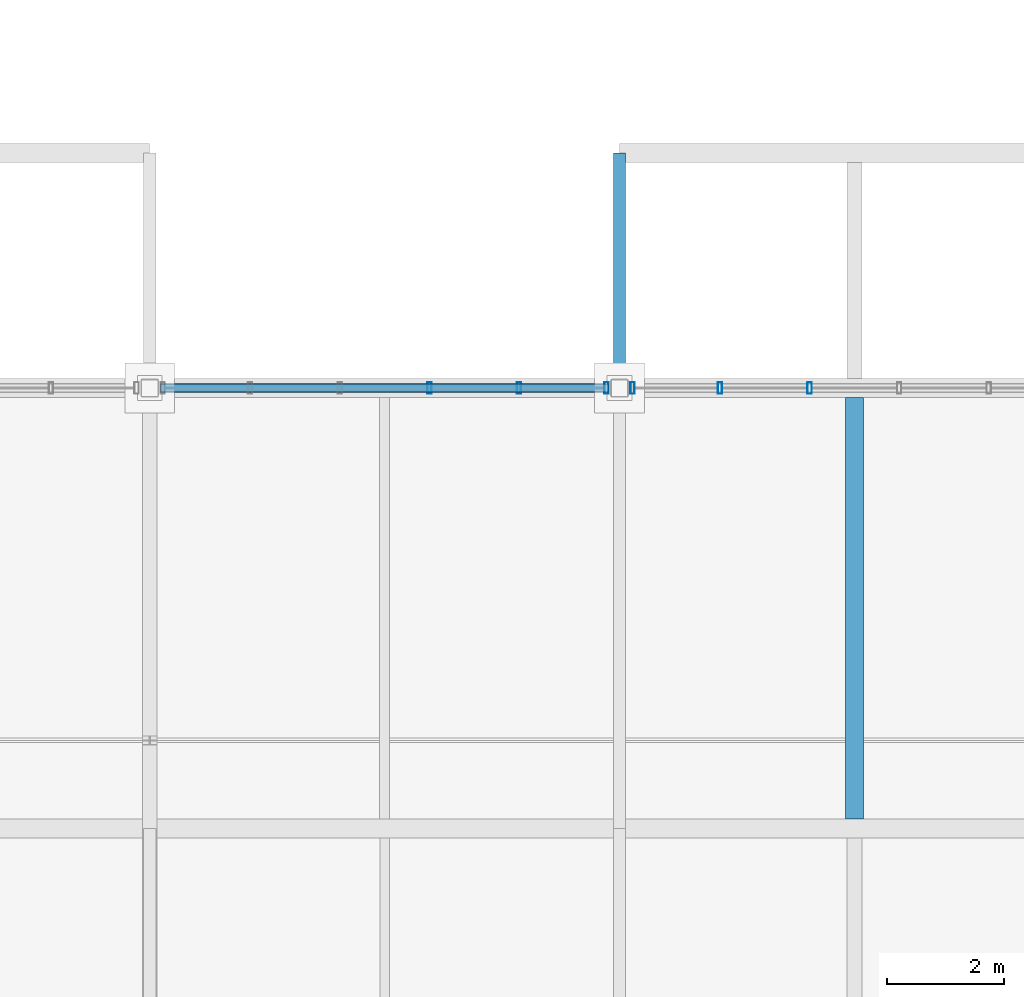
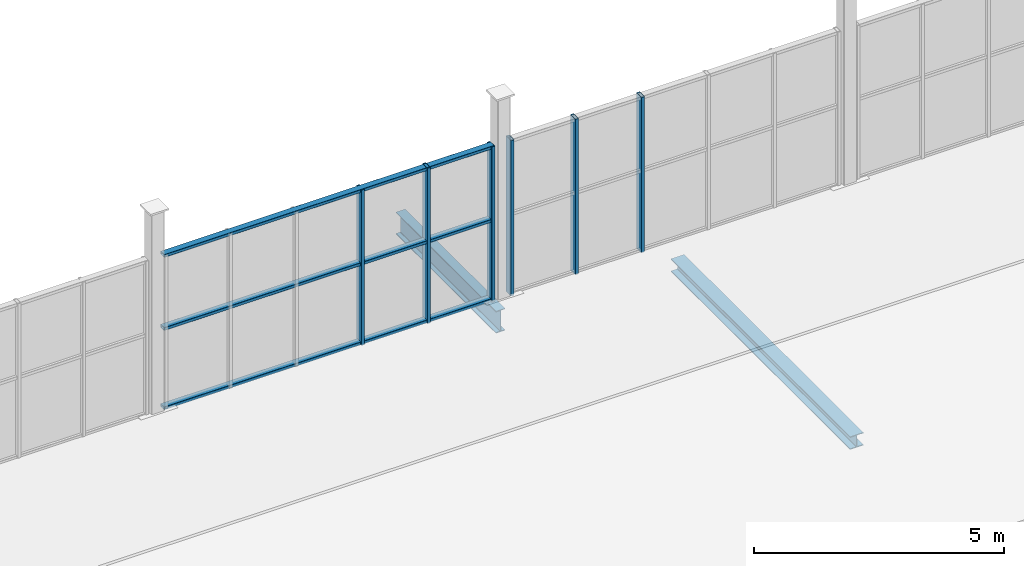
# One storey, part 23 of 96: 9 members, 2 beams, 2 elements without a shape of their own.
"""IFC4 building model written with IfcOpenShell, lengths in metres."""

from ifc_helpers import new_model, si_unit, direction, frame, origin, origin_2d, place, context, subcontext, project, spatial, hollow_rectangle, i_section, extrude, material, material_profile, profile_set, type_object, element, aggregate, save


model = new_model("IFC4")

# Units and contexts
model_context = context("Model", 3, precision=1e-05, world=origin(), true_north=direction((0.0, 1.0)))
body_context = subcontext(model_context, "Body", "Model", "MODEL_VIEW")
ifc_project = project(units=[si_unit("LENGTHUNIT", "METRE"), si_unit("AREAUNIT", "SQUARE_METRE"), si_unit("VOLUMEUNIT", "CUBIC_METRE"), si_unit("PLANEANGLEUNIT", "RADIAN"), si_unit("MASSUNIT", "GRAM", prefix="KILO")], contexts=[model_context])

# Site, building, storey
site_placement = place(None, origin())
site = spatial("IfcSite", under=ifc_project, at=site_placement, CompositionType="ELEMENT")
building_placement = place(site_placement, origin())
building = spatial("IfcBuilding", under=site, at=building_placement, Name="Verrall Gate Interchange", CompositionType="ELEMENT")
storey_placement = place(building_placement, frame((0.0, 0.0, 11.39990234375)))
storey = spatial("IfcBuildingStorey", under=building, at=storey_placement, Name="L03", CompositionType="ELEMENT", Elevation=11.39990234375)

# Beam
ifc_material_1 = material(Name="Structural Steel CSA G40.21 350W", Category="steel")
ifc_material_profile_1 = material_profile(ifc_material_1, i_section(OverallWidth=0.2109375, OverallDepth=0.5390625, WebThickness=0.01171875, FlangeThickness=0.018798828125, FilletRadius=0.013916015625, at=origin_2d()), Name="W530x109")
ifc_profile_set_1 = profile_set([ifc_material_profile_1], Name="Structural Steel CSA G40.21 350W")
beam_type_1 = type_object("IfcBeamType", Name="B-10 Structural Beam W530x109", PredefinedType="BEAM", material=ifc_profile_set_1)
beam_1_placement = place(storey_placement, frame((52.0, 12.0, -0.599365234375), z_axis=(0.0, 1.0, 0.0), x_axis=(-1.0, 0.0, 0.0)))
element("IfcBeam", 1, at=beam_1_placement, inside=storey, type_object=beam_type_1, Name="L03 Girder BM-L03-2279 (B-10)", PredefinedType="BEAM", context=body_context, shape_type="SweptSolid", body=[
    extrude(i_section(OverallWidth=0.2109375, OverallDepth=0.5390625, WebThickness=0.01171875, FlangeThickness=0.018798828125, FilletRadius=0.013916015625, at=origin_2d()), origin(), (0.0, 0.0, 1.0), 4.0),
])

# Curtain wall, members
ifc_material_2 = material(Name="Thermally Broken Anodized Aluminium Curtain Wall Framing", Category="aluminium")
curtain_wall_type = type_object("IfcCurtainWallType", Name="CW-53 Unitized Curtain Wall 7631x3800", PredefinedType="NOTDEFINED", material=ifc_material_2)
curtain_wall_1_placement = place(storey_placement, origin())
curtain_wall_1 = element("IfcCurtainWall", 2, at=curtain_wall_1_placement, inside=storey, type_object=curtain_wall_type, Name="L03 Unitized Curtain Wall CW-L03-CLR-165", PredefinedType="NOTDEFINED")
ifc_material_3 = material(Name="Thermally Broken Anodized Aluminium Curtain Wall Framing", Category="aluminium")
ifc_material_profile_2 = material_profile(ifc_material_3, hollow_rectangle(XDim=0.074951171875, YDim=0.199951171875, WallThickness=0.0048828125, InnerFilletRadius=0.0048828125, OuterFilletRadius=0.010009765625, at=origin_2d()), Name="CWM200x75x5")
ifc_profile_set_2 = profile_set([ifc_material_profile_2], Name="Thermally Broken Anodized Aluminium Curtain Wall Framing")
member_type_1 = type_object("IfcMemberType", Name="CM-02 Curtain Mullion CWM200x75x5", PredefinedType="MULLION", material=ifc_profile_set_2)
member_1_placement = place(storey_placement, frame((48.76318359375, 12.0, 0.0), z_axis=(0.0, 0.0, 1.0), x_axis=(1.0, 0.0, 0.0)))
member_1 = element("IfcMember", 3, at=member_1_placement, type_object=member_type_1, Name="CW-L03-CLR-165 Mullion 4", PredefinedType="MULLION", context=body_context, shape_type="SweptSolid", body=[
    extrude(hollow_rectangle(XDim=0.074951171875, YDim=0.199951171875, WallThickness=0.0048828125, InnerFilletRadius=0.0048828125, OuterFilletRadius=0.010009765625, at=origin_2d()), origin(), (0.0, 0.0, 1.0), 3.800048828125),
])
member_2_placement = place(storey_placement, frame((50.289306640625, 12.0, 0.0), z_axis=(0.0, 0.0, 1.0), x_axis=(1.0, 0.0, 0.0)))
member_2 = element("IfcMember", 4, at=member_2_placement, type_object=member_type_1, Name="CW-L03-CLR-165 Mullion 5", PredefinedType="MULLION", context=body_context, shape_type="SweptSolid", body=[
    extrude(hollow_rectangle(XDim=0.074951171875, YDim=0.199951171875, WallThickness=0.0048828125, InnerFilletRadius=0.0048828125, OuterFilletRadius=0.010009765625, at=origin_2d()), origin(), (0.0, 0.0, 1.0), 3.800048828125),
])
member_3_placement = place(storey_placement, frame((51.778076171875, 12.0, 0.0), z_axis=(0.0, 0.0, 1.0), x_axis=(1.0, 0.0, 0.0)))
member_3 = element("IfcMember", 5, at=member_3_placement, type_object=member_type_1, Name="CW-L03-CLR-165 Mullion 6", PredefinedType="MULLION", context=body_context, shape_type="SweptSolid", body=[
    extrude(hollow_rectangle(XDim=0.074951171875, YDim=0.199951171875, WallThickness=0.0048828125, InnerFilletRadius=0.0048828125, OuterFilletRadius=0.010009765625, at=origin_2d()), origin(), (0.0, 0.0, 1.0), 3.800048828125),
])

curtain_wall_2_placement = place(storey_placement, origin())
curtain_wall_2 = element("IfcCurtainWall", 6, at=curtain_wall_2_placement, inside=storey, type_object=curtain_wall_type, Name="L03 Unitized Curtain Wall CW-L03-CLR-166", PredefinedType="NOTDEFINED")
member_4_placement = place(storey_placement, frame((52.221923828125, 12.0, 0.0), z_axis=(0.0, 0.0, 1.0), x_axis=(1.0, 0.0, 0.0)))
member_4 = element("IfcMember", 7, at=member_4_placement, type_object=member_type_1, Name="CW-L03-CLR-166 Mullion 1", PredefinedType="MULLION", context=body_context, shape_type="SweptSolid", body=[
    extrude(hollow_rectangle(XDim=0.074951171875, YDim=0.199951171875, WallThickness=0.0048828125, InnerFilletRadius=0.0048828125, OuterFilletRadius=0.010009765625, at=origin_2d()), origin(), (0.0, 0.0, 1.0), 3.800048828125),
])
member_5_placement = place(storey_placement, frame((53.710693359375, 12.0, 0.0), z_axis=(0.0, 0.0, 1.0), x_axis=(1.0, 0.0, 0.0)))
member_5 = element("IfcMember", 8, at=member_5_placement, type_object=member_type_1, Name="CW-L03-CLR-166 Mullion 2", PredefinedType="MULLION", context=body_context, shape_type="SweptSolid", body=[
    extrude(hollow_rectangle(XDim=0.074951171875, YDim=0.199951171875, WallThickness=0.0048828125, InnerFilletRadius=0.0048828125, OuterFilletRadius=0.010009765625, at=origin_2d()), origin(), (0.0, 0.0, 1.0), 3.800048828125),
])
member_6_placement = place(storey_placement, frame((55.23681640625, 12.0, 0.0), z_axis=(0.0, 0.0, 1.0), x_axis=(1.0, 0.0, 0.0)))
member_6 = element("IfcMember", 9, at=member_6_placement, type_object=member_type_1, Name="CW-L03-CLR-166 Mullion 3", PredefinedType="MULLION", context=body_context, shape_type="SweptSolid", body=[
    extrude(hollow_rectangle(XDim=0.074951171875, YDim=0.199951171875, WallThickness=0.0048828125, InnerFilletRadius=0.0048828125, OuterFilletRadius=0.010009765625, at=origin_2d()), origin(), (0.0, 0.0, 1.0), 3.800048828125),
])
aggregate(curtain_wall_2, [member_4, member_5, member_6])

# Member
ifc_material_4 = material(Name="Thermally Broken Anodized Aluminium Curtain Wall Framing", Category="aluminium")
ifc_material_profile_3 = material_profile(ifc_material_4, hollow_rectangle(XDim=0.14990234375, YDim=0.074951171875, WallThickness=0.00439453125, InnerFilletRadius=0.00439453125, OuterFilletRadius=0.009033203125, at=origin_2d()), Name="CWT150x75x4.5")
ifc_profile_set_3 = profile_set([ifc_material_profile_3], Name="Thermally Broken Anodized Aluminium Curtain Wall Framing")
member_type_2 = type_object("IfcMemberType", Name="CT-02 Curtain Transom CWT150x75x4.5", PredefinedType="USERDEFINED", material=ifc_profile_set_3)
member_7_placement = place(storey_placement, frame((44.1845703125, 12.0, 0.03759765625), z_axis=(1.0, 0.0, 0.0), x_axis=(0.0, 1.0, 0.0)))
member_7 = element("IfcMember", 10, at=member_7_placement, type_object=member_type_2, Name="CW-L03-CLR-165 Transom 1", ObjectType="TRANSOM", PredefinedType="USERDEFINED", context=body_context, shape_type="SweptSolid", body=[
    extrude(hollow_rectangle(XDim=0.14990234375, YDim=0.074951171875, WallThickness=0.00439453125, InnerFilletRadius=0.00439453125, OuterFilletRadius=0.009033203125, at=origin_2d()), origin(), (0.0, 0.0, 1.0), 7.630859375),
])

member_8_placement = place(storey_placement, frame((44.1845703125, 12.0, 1.97607421875), z_axis=(1.0, 0.0, 0.0), x_axis=(0.0, 1.0, 0.0)))
member_8 = element("IfcMember", 11, at=member_8_placement, type_object=member_type_2, Name="CW-L03-CLR-165 Transom 2", ObjectType="TRANSOM", PredefinedType="USERDEFINED", context=body_context, shape_type="SweptSolid", body=[
    extrude(hollow_rectangle(XDim=0.14990234375, YDim=0.074951171875, WallThickness=0.00439453125, InnerFilletRadius=0.00439453125, OuterFilletRadius=0.009033203125, at=origin_2d()), origin(), (0.0, 0.0, 1.0), 7.630859375),
])

member_9_placement = place(storey_placement, frame((44.1845703125, 12.0, 3.7626953125), z_axis=(1.0, 0.0, 0.0), x_axis=(0.0, 1.0, 0.0)))
member_9 = element("IfcMember", 12, at=member_9_placement, type_object=member_type_2, Name="CW-L03-CLR-165 Transom 3", ObjectType="TRANSOM", PredefinedType="USERDEFINED", context=body_context, shape_type="SweptSolid", body=[
    extrude(hollow_rectangle(XDim=0.14990234375, YDim=0.074951171875, WallThickness=0.00439453125, InnerFilletRadius=0.00439453125, OuterFilletRadius=0.009033203125, at=origin_2d()), origin(), (0.0, 0.0, 1.0), 7.630859375),
])

aggregate(curtain_wall_1, [member_1, member_2, member_3, member_7, member_8, member_9])

# Beam
ifc_material_5 = material(Name="Structural Steel CSA G40.21 350W", Category="steel")
ifc_material_profile_4 = material_profile(ifc_material_5, i_section(OverallWidth=0.306884765625, OverallDepth=0.31396484375, WebThickness=0.011962890625, FlangeThickness=0.018798828125, FilletRadius=0.013916015625, at=origin_2d()), Name="W310x118")
ifc_profile_set_4 = profile_set([ifc_material_profile_4], Name="Structural Steel CSA G40.21 350W")
beam_type_2 = type_object("IfcBeamType", Name="J-02 Floor Joist W310x118", PredefinedType="JOIST", material=ifc_profile_set_4)
beam_2_placement = place(storey_placement, frame((56.0, 4.662109375, -0.48681640625), z_axis=(0.0, 1.0, 0.0), x_axis=(-1.0, 0.0, 0.0)))
element("IfcBeam", 13, at=beam_2_placement, inside=storey, type_object=beam_type_2, Name="L03 Secondary Floor Joist JST-L03-2400", PredefinedType="JOIST", context=body_context, shape_type="SweptSolid", body=[
    extrude(i_section(OverallWidth=0.306884765625, OverallDepth=0.31396484375, WebThickness=0.011962890625, FlangeThickness=0.018798828125, FilletRadius=0.013916015625, at=origin_2d()), origin(), (0.0, 0.0, 1.0), 7.17578125),
])

save(model, "model.ifc")
